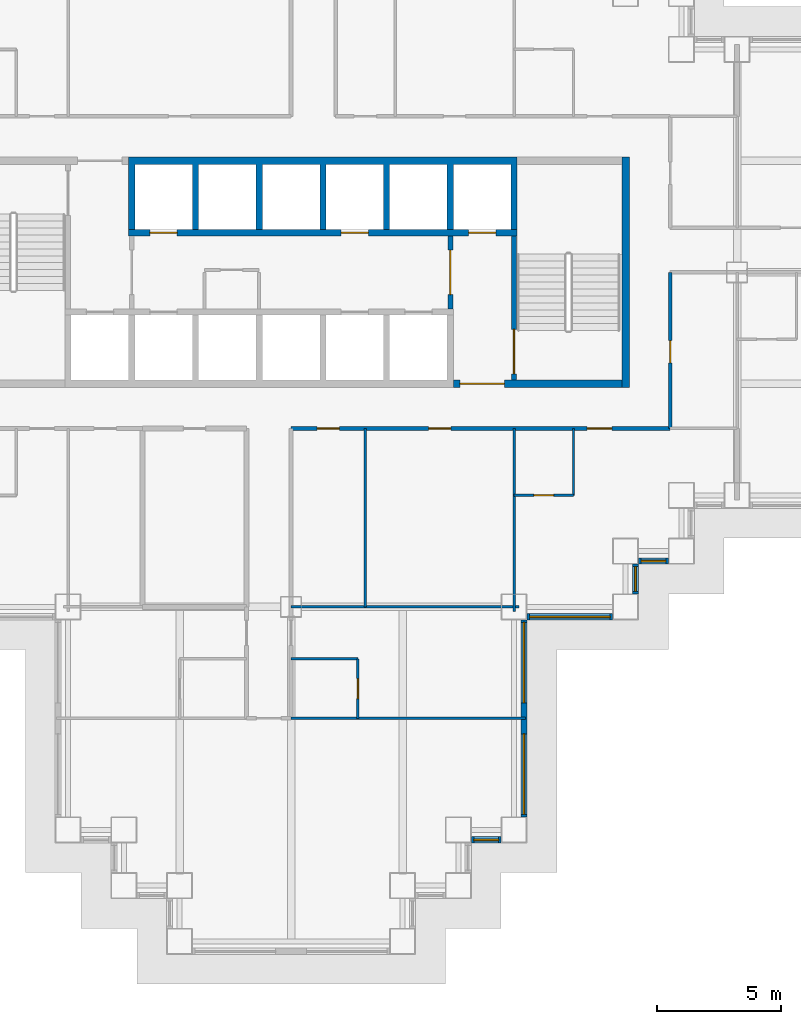
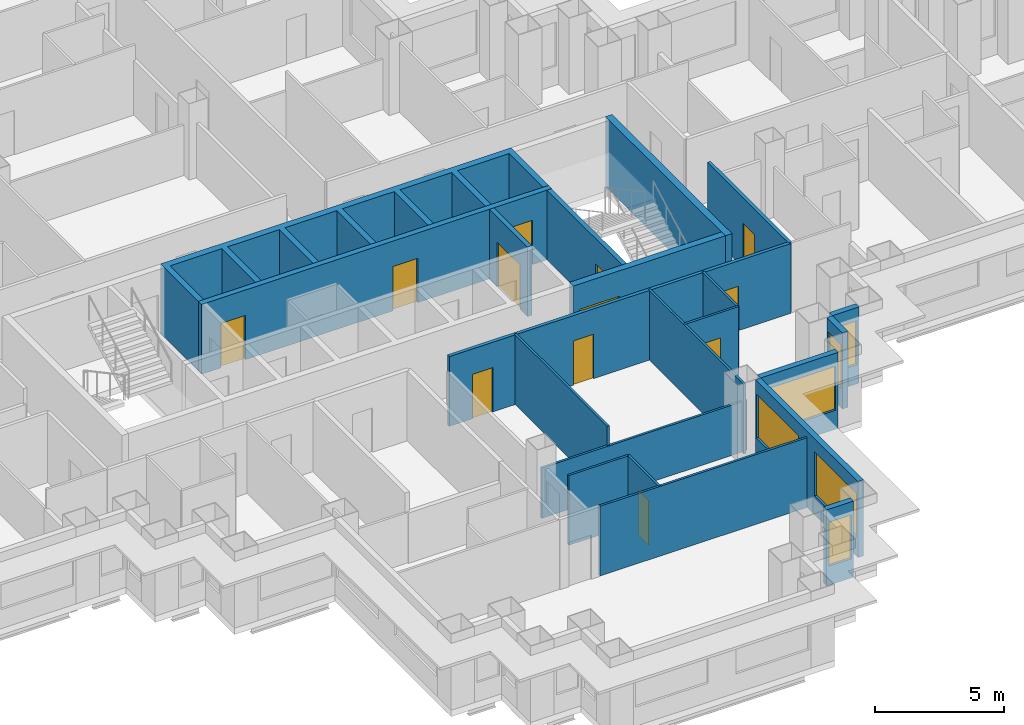
# One storey, part 5 of 14: 21 walls, 12 doors, 6 windows, 18 openings.
"""IFC4 building model written with IfcOpenShell, lengths in metres."""

import ifcopenshell
import ifcopenshell.guid

model = None  # the IFC model being written
_history = None  # IfcOwnerHistory: only IFC2X3 demands one
_inside = {}  # id of a spatial element -> (the spatial element, [elements in it])
_under = {}  # id of a project, library or spatial element -> (it, [spatial elements below it])
_declared = {}  # id of a project -> (the project, [libraries it declares])
_typed = {}  # id of a type object -> (the type object, [elements of that type])
_made_of = {}  # id of a material, layer set ... -> (it, [elements and type objects made of it])


def new_model(schema):
    """Start an empty IFC model of exactly this schema.

    Asked for "IFC4X3", IfcOpenShell would pick the latest addendum, in which some entities
    have other attributes; the version numbers below select the first issue.
    IFC2X3 requires an IfcOwnerHistory on every rooted entity: one is made here for all.
    """
    global model, _history
    if schema == "IFC4X3":
        model = ifcopenshell.file(schema_version=(4, 3, 0, 0))
    else:
        model = ifcopenshell.file(schema=schema)
    _inside.clear()
    _under.clear()
    _declared.clear()
    _typed.clear()
    _made_of.clear()
    _history = None
    if model.schema == "IFC2X3":
        org = make("IfcOrganization", Name="unknown")
        user = make(
            "IfcPersonAndOrganization",
            ThePerson=make("IfcPerson", FamilyName="unknown"),
            TheOrganization=org,
        )
        app = make(
            "IfcApplication",
            ApplicationDeveloper=org,
            Version="unknown",
            ApplicationFullName="unknown",
            ApplicationIdentifier="unknown",
        )
        _history = make(
            "IfcOwnerHistory",
            OwningUser=user,
            OwningApplication=app,
            ChangeAction="ADDED",
            CreationDate=0,
        )
    return model


def make(cls, **values):
    """One entity of the class cls with the attributes given. An attribute that is None is left unset."""
    return model.create_entity(
        cls, **{name: value for name, value in values.items() if value is not None}
    )


def rooted(cls, **values):
    """An entity with a GlobalId (a new one), such as an element, a storey or a relation."""
    return make(cls, GlobalId=ifcopenshell.guid.new(), OwnerHistory=_history, **values)


def si_unit(unit_type, name, prefix=None):
    """IfcSIUnit, for example si_unit("LENGTHUNIT", "METRE", prefix="MILLI")."""
    return make("IfcSIUnit", UnitType=unit_type, Prefix=prefix, Name=name)


def assignment(units):
    """IfcUnitAssignment: the units of a project."""
    return None if units is None else make("IfcUnitAssignment", Units=units)


def point(xyz):
    """IfcCartesianPoint."""
    return None if xyz is None else make("IfcCartesianPoint", Coordinates=xyz)


def direction(xyz):
    """IfcDirection."""
    return None if xyz is None else make("IfcDirection", DirectionRatios=xyz)


def frame(location, z_axis=None, x_axis=None):
    """IfcAxis2Placement3D, a coordinate frame: its origin and axes. An axis left out is left unset."""
    return make(
        "IfcAxis2Placement3D",
        Location=point(location),
        Axis=direction(z_axis),
        RefDirection=direction(x_axis),
    )


def frame_2d(location, x_axis=None):
    """IfcAxis2Placement2D, a coordinate frame in the plane: its origin and x axis."""
    return make(
        "IfcAxis2Placement2D", Location=point(location), RefDirection=direction(x_axis)
    )


def origin():
    """The frame at (0, 0, 0) with its axes left unset."""
    return frame((0.0, 0.0, 0.0))


def place(relative_to, where):
    """IfcLocalPlacement: puts the frame where relative to a parent placement (None: the world)."""
    return make(
        "IfcLocalPlacement", PlacementRelTo=relative_to, RelativePlacement=where
    )


def context(
    kind, dimensions, precision=None, world=None, true_north=None, identifier=None
):
    """IfcGeometricRepresentationContext, for example the 3D "Model" context."""
    return make(
        "IfcGeometricRepresentationContext",
        ContextIdentifier=identifier,
        ContextType=kind,
        CoordinateSpaceDimension=dimensions,
        Precision=precision,
        WorldCoordinateSystem=world,
        TrueNorth=true_north,
    )


def subcontext(parent, identifier, kind, view, scale=None):
    """IfcGeometricRepresentationSubContext, for example "Body" below "Model"."""
    return make(
        "IfcGeometricRepresentationSubContext",
        ContextIdentifier=identifier,
        ContextType=kind,
        ParentContext=parent,
        TargetScale=scale,
        TargetView=view,
    )


def project(units=None, contexts=None):
    """IfcProject with its units and contexts."""
    return rooted(
        "IfcProject",
        Name="project",
        RepresentationContexts=contexts,
        UnitsInContext=assignment(units),
    )


def spatial(cls, under=None, at=None, **own):
    """A site, building, storey or space (cls), placed at a placement, below another one or the project."""
    s = rooted(cls, ObjectPlacement=at, **own)
    if under is not None:
        _under.setdefault(under.id(), (under, []))[1].append(s)
    return s


def polyline(points):
    """IfcPolyline through the points."""
    return make("IfcPolyline", Points=[point(p) for p in points])


def profile(cls, at=None, kind="AREA", **sizes):
    """A parametric profile (cls). Its sizes go by their IFC names, for example OverallWidth=200.0."""
    return make(cls, ProfileType=kind, Position=at, **sizes)


def rectangle(**sizes):
    """IfcRectangleProfileDef."""
    return profile("IfcRectangleProfileDef", **sizes)


def outline(outer, holes=None, kind="AREA"):
    """IfcArbitraryClosedProfileDef: a profile drawn as a closed curve; with holes, ...WithVoids."""
    if holes is None:
        return make("IfcArbitraryClosedProfileDef", ProfileType=kind, OuterCurve=outer)
    return make(
        "IfcArbitraryProfileDefWithVoids",
        ProfileType=kind,
        OuterCurve=outer,
        InnerCurves=holes,
    )


def extrude(swept, where, along, depth):
    """IfcExtrudedAreaSolid: the profile swept, set in the frame where, extruded along a direction by depth."""
    return make(
        "IfcExtrudedAreaSolid",
        SweptArea=swept,
        Position=where,
        ExtrudedDirection=direction(along),
        Depth=depth,
    )


def shape(context_of_items, identifier, shape_type, items):
    """IfcShapeRepresentation: the items that make up one representation, for example the "Body"."""
    return make(
        "IfcShapeRepresentation",
        ContextOfItems=context_of_items,
        RepresentationIdentifier=identifier,
        RepresentationType=shape_type,
        Items=items,
    )


def material(Name=None, Category=None):
    """IfcMaterial."""
    return make("IfcMaterial", Name=Name, Category=Category)


def layer(
    of_material, thickness, ventilated=None, Name=None, Category=None, Priority=None
):
    """IfcMaterialLayer: one layer of a wall or slab, of a material (None: an air gap)."""
    return make(
        "IfcMaterialLayer",
        Material=of_material,
        LayerThickness=thickness,
        IsVentilated=ventilated,
        Name=Name,
        Category=Category,
        Priority=Priority,
    )


def layer_set(layers, Name=None):
    """IfcMaterialLayerSet."""
    return make("IfcMaterialLayerSet", MaterialLayers=layers, LayerSetName=Name)


def made_of(thing, what):
    """Note that an element or type object is made of a material, layer set ...; save() writes the relation."""
    if what is not None:
        _made_of.setdefault(what.id(), (what, []))[1].append(thing)
    return thing


def type_object(cls, material=None, **own):
    """A type object (cls), such as IfcWallType, which elements share."""
    return made_of(rooted(cls, **own), material)


def element(
    cls,
    number,
    at=None,
    inside=None,
    cuts=None,
    type_object=None,
    material=None,
    context=None,
    identifier="Body",
    shape_type=None,
    held_by="IfcProductDefinitionShape",
    body=None,
    shapes=None,
    **own,
):
    """One element of the class cls, such as IfcWall. Its Tag is "e" and its number.

    at: its placement. inside: the storey or other place that contains it. cuts: it is an
    opening in that element (IfcRelVoidsElement). A single representation is given by context,
    identifier, shape_type and body (its items); several are given by shapes. held_by: the class
    of the entity that holds the representations. save() writes the other relations.
    """
    e = rooted(cls, Tag="e%d" % number, ObjectPlacement=at, **own)
    if body is not None:
        shapes = [shape(context, identifier, shape_type, body)]
    if shapes is not None:
        e.Representation = make(held_by, Representations=shapes)
    if inside is not None:
        _inside.setdefault(inside.id(), (inside, []))[1].append(e)
    if cuts is not None:
        rooted(
            "IfcRelVoidsElement", RelatingBuildingElement=cuts, RelatedOpeningElement=e
        )
    if type_object is not None:
        _typed.setdefault(type_object.id(), (type_object, []))[1].append(e)
    return made_of(e, material)


def fill(opening, filler):
    """IfcRelFillsElement: the door or window that sits in an opening."""
    return rooted(
        "IfcRelFillsElement",
        RelatingOpeningElement=opening,
        RelatedBuildingElement=filler,
    )


def aggregate(whole, parts):
    """IfcRelAggregates: a whole, such as a stair, and the parts it consists of."""
    return rooted("IfcRelAggregates", RelatingObject=whole, RelatedObjects=parts)


def save(model, path):
    """Write the relations noted so far, then the file.

    IfcRelAggregates (storeys below a building ...), IfcRelContainedInSpatialStructure (elements
    in a storey), IfcRelDefinesByType, IfcRelAssociatesMaterial and IfcRelDeclares: one each for
    every whole, place, type object, material and project.
    """
    for whole, parts in _under.values():
        aggregate(whole, parts)
    for where, things in _inside.values():
        rooted(
            "IfcRelContainedInSpatialStructure",
            RelatedElements=things,
            RelatingStructure=where,
        )
    for kind, things in _typed.values():
        rooted("IfcRelDefinesByType", RelatedObjects=things, RelatingType=kind)
    for what, things in _made_of.values():
        rooted("IfcRelAssociatesMaterial", RelatedObjects=things, RelatingMaterial=what)
    for by, libraries in _declared.values():
        rooted("IfcRelDeclares", RelatingContext=by, RelatedDefinitions=libraries)
    model.write(path)


model = new_model("IFC4")

# Units and contexts
model_context = context("Model", 3, precision=1e-05, world=origin(), true_north=direction((0.0, 1.0)))
body_context = subcontext(model_context, "Body", "Model", "MODEL_VIEW")
ifc_project = project(units=[si_unit("LENGTHUNIT", "METRE"), si_unit("AREAUNIT", "SQUARE_METRE"), si_unit("VOLUMEUNIT", "CUBIC_METRE"), si_unit("PLANEANGLEUNIT", "RADIAN"), si_unit("MASSUNIT", "GRAM", prefix="KILO")], contexts=[model_context])

# Site, building, storey
site_placement = place(None, origin())
site = spatial("IfcSite", under=ifc_project, at=site_placement, CompositionType="ELEMENT")
building_placement = place(site_placement, origin())
building = spatial("IfcBuilding", under=site, at=building_placement, Name="Caravel Reach Hotel and Residences", CompositionType="ELEMENT")
storey_placement = place(building_placement, frame((0.0, 0.0, 40.800048828125)))
storey = spatial("IfcBuildingStorey", under=building, at=storey_placement, Name="L08", CompositionType="ELEMENT", Elevation=40.800048828125)

# Wall
ifc_material_1 = material(Name="Gypsum board on steel stud", Category="steel")
ifc_layer_1 = layer(ifc_material_1, 0.10009765625)
ifc_layer_set_1 = layer_set([ifc_layer_1], Name="Bathroom pod wall 100 mm")
wall_type_1 = type_object("IfcWallType", Name="Bathroom pod wall 100 mm", PredefinedType="PARTITIONING", material=ifc_layer_set_1)
wall_1_placement = place(storey_placement, frame((31.5, 11.39990234375, 0.0), z_axis=(0.0, 0.0, 1.0), x_axis=(1.0, 0.0, 0.0)))
element("IfcWall", 1, at=wall_1_placement, inside=storey, type_object=wall_type_1, Name="L08 wall w074", PredefinedType="PARTITIONING", context=body_context, shape_type="SweptSolid", body=[
    extrude(rectangle(XDim=2.699951171875, YDim=0.10009765625, at=frame_2d((1.35009765625, 0.0))), origin(), (0.0, 0.0, 1.0), 3.300048828125),
])

# Wall, opening, door
wall_2_placement = place(storey_placement, frame((40.5, 18.0, 0.0), z_axis=(0.0, 0.0, 1.0), x_axis=(1.0, 0.0, 0.0)))
wall_2 = element("IfcWall", 2, at=wall_2_placement, inside=storey, type_object=wall_type_1, Name="L08 wall w077", PredefinedType="PARTITIONING", context=body_context, shape_type="SweptSolid", body=[
    extrude(rectangle(XDim=2.39990234375, YDim=0.10009765625, at=frame_2d((1.199951171875, 0.0))), origin(), (0.0, 0.0, 1.0), 3.300048828125),
])
opening_1_placement = place(wall_2_placement, frame((0.800048828125, 0.0, 0.0)))
opening_1 = element("IfcOpeningElement", 3, at=opening_1_placement, cuts=wall_2, Name="Opening D08-048", PredefinedType="OPENING", context=body_context, shape_type="SweptSolid", body=[
    extrude(rectangle(XDim=0.800048828125, YDim=2.10009765625, at=frame_2d((0.39990234375, 1.050048828125))), frame((0.0, 0.06005859375, 0.0), z_axis=(0.0, -1.0, 0.0), x_axis=(1.0, 0.0, 0.0)), (0.0, 0.0, 1.0), 0.1201171875),
])
ifc_material_2 = material(Name="Timber and steel door leaf", Category="steel")
door_type_1 = type_object("IfcDoorType", Name="Bathroom door 800 x 2100", OperationType="SINGLE_SWING_LEFT", PredefinedType="DOOR", material=ifc_material_2)
door_1_placement = place(opening_1_placement, origin())
door_1 = element("IfcDoor", 4, at=door_1_placement, inside=storey, type_object=door_type_1, Name="door D08-048", OperationType="SINGLE_SWING_LEFT", OverallHeight=2.10009765625, OverallWidth=0.800048828125, PredefinedType="DOOR", context=body_context, shape_type="SweptSolid", body=[
    extrude(rectangle(XDim=0.800048828125, YDim=2.10009765625, at=frame_2d((0.39990234375, 1.050048828125))), frame((0.0, 0.02490234375, 0.0), z_axis=(0.0, -1.0, 0.0), x_axis=(1.0, 0.0, 0.0)), (0.0, 0.0, 1.0), 0.050048828125),
])
fill(opening_1, door_1)

wall_3_placement = place(storey_placement, frame((34.199951171875, 9.0, 0.0), z_axis=(0.0, 0.0, 1.0), x_axis=(0.0, 1.0, 0.0)))
wall_3 = element("IfcWall", 5, at=wall_3_placement, inside=storey, type_object=wall_type_1, Name="L08 wall w097", PredefinedType="PARTITIONING", context=body_context, shape_type="SweptSolid", body=[
    extrude(rectangle(XDim=2.39990234375, YDim=0.10009765625, at=frame_2d((1.199951171875, 0.0))), origin(), (0.0, 0.0, 1.0), 3.300048828125),
])
opening_2_placement = place(wall_3_placement, frame((0.800048828125, 0.0, 0.0)))
opening_2 = element("IfcOpeningElement", 6, at=opening_2_placement, cuts=wall_3, Name="Opening D08-035", PredefinedType="OPENING", context=body_context, shape_type="SweptSolid", body=[
    extrude(rectangle(XDim=0.800048828125, YDim=2.10009765625, at=frame_2d((0.39990234375, 1.050048828125))), frame((0.0, 0.06005859375, 0.0), z_axis=(0.0, -1.0, 0.0), x_axis=(1.0, 0.0, 0.0)), (0.0, 0.0, 1.0), 0.1201171875),
])
door_2_placement = place(opening_2_placement, origin())
door_2 = element("IfcDoor", 7, at=door_2_placement, inside=storey, type_object=door_type_1, Name="door D08-035", OperationType="SINGLE_SWING_LEFT", OverallHeight=2.10009765625, OverallWidth=0.800048828125, PredefinedType="DOOR", context=body_context, shape_type="SweptSolid", body=[
    extrude(rectangle(XDim=0.800048828125, YDim=2.10009765625, at=frame_2d((0.39990234375, 1.050048828125))), frame((0.0, 0.02490234375, 0.0), z_axis=(0.0, -1.0, 0.0), x_axis=(1.0, 0.0, 0.0)), (0.0, 0.0, 1.0), 0.050048828125),
])
fill(opening_2, door_2)

# Wall
wall_4_placement = place(storey_placement, frame((42.89990234375, 18.0, 0.0), z_axis=(0.0, 0.0, 1.0), x_axis=(0.0, 1.0, 0.0)))
element("IfcWall", 8, at=wall_4_placement, inside=storey, type_object=wall_type_1, Name="L08 wall w100", PredefinedType="PARTITIONING", context=body_context, shape_type="SweptSolid", body=[
    extrude(rectangle(XDim=2.699951171875, YDim=0.10009765625, at=frame_2d((1.35009765625, 0.0))), origin(), (0.0, 0.0, 1.0), 3.300048828125),
])

# Wall, opening, door
ifc_material_3 = material(Name="Concrete C60", Category="concrete")
ifc_layer_2 = layer(ifc_material_3, 0.300048828125)
ifc_layer_set_2 = layer_set([ifc_layer_2], Name="Core wall 300 mm EI 120")
wall_type_2 = type_object("IfcWallType", Name="Core wall 300 mm EI 120", PredefinedType="SHEAR", material=ifc_layer_set_2)
wall_5_placement = place(storey_placement, frame((38.053466796875, 22.5, 0.0), z_axis=(0.0, 0.0, 1.0), x_axis=(1.0, 0.0, 0.0)))
wall_5 = element("IfcWall", 9, at=wall_5_placement, inside=storey, type_object=wall_type_2, Name="L08 core wall S2", PredefinedType="SHEAR", context=body_context, shape_type="SweptSolid", body=[
    extrude(rectangle(XDim=6.796630859375, YDim=0.300048828125, at=frame_2d((3.3984375, 0.0))), origin(), (0.0, 0.0, 1.0), 3.300048828125),
])
opening_3_placement = place(wall_5_placement, frame((0.2607421875, 0.0, 0.0)))
opening_3 = element("IfcOpeningElement", 10, at=opening_3_placement, cuts=wall_5, Name="Opening D08-014", PredefinedType="OPENING", context=body_context, shape_type="SweptSolid", body=[
    extrude(rectangle(XDim=1.800048828125, YDim=2.10009765625, at=frame_2d((0.89990234375, 1.050048828125))), frame((0.0, 0.159912109375, 0.0), z_axis=(0.0, -1.0, 0.0), x_axis=(1.0, 0.0, 0.0)), (0.0, 0.0, 1.0), 0.320068359375),
])
ifc_material_4 = material(Name="Steel fire door leaf", Category="steel")
door_type_2 = type_object("IfcDoorType", Name="Fire lobby door pair 1800 x 2100 EI 90", OperationType="DOUBLE_DOOR_SINGLE_SWING", PredefinedType="DOOR", material=ifc_material_4)
door_3_placement = place(opening_3_placement, origin())
door_3 = element("IfcDoor", 11, at=door_3_placement, inside=storey, type_object=door_type_2, Name="lobby S door pair to corridor", OperationType="DOUBLE_DOOR_SINGLE_SWING", OverallHeight=2.10009765625, OverallWidth=1.800048828125, PredefinedType="DOOR", context=body_context, shape_type="SweptSolid", body=[
    extrude(rectangle(XDim=1.800048828125, YDim=2.10009765625, at=frame_2d((0.89990234375, 1.050048828125))), frame((0.0, 0.02490234375, 0.0), z_axis=(0.0, -1.0, 0.0), x_axis=(1.0, 0.0, 0.0)), (0.0, 0.0, 1.0), 0.050048828125),
])
fill(opening_3, door_3)

# Wall
wall_6_placement = place(storey_placement, frame((45.0, 22.35009765625, 0.0), z_axis=(0.0, 0.0, 1.0), x_axis=(0.0, 1.0, 0.0)))
element("IfcWall", 12, at=wall_6_placement, inside=storey, type_object=wall_type_2, Name="L08 core wall E", PredefinedType="SHEAR", context=body_context, shape_type="SweptSolid", body=[
    extrude(rectangle(XDim=9.2998046875, YDim=0.300048828125, at=frame_2d((4.64990234375, 0.0))), origin(), (0.0, 0.0, 1.0), 3.300048828125),
])

# Wall, openings, doors
ifc_material_5 = material(Name="Gypsum board on steel stud, fire-rated", Category="steel")
ifc_layer_3 = layer(ifc_material_5, 0.14990234375)
ifc_layer_set_3 = layer_set([ifc_layer_3], Name="Corridor wall 150 mm EI 60")
wall_type_3 = type_object("IfcWallType", Name="Corridor wall 150 mm EI 60", PredefinedType="PARTITIONING", material=ifc_layer_set_3)
wall_7_placement = place(storey_placement, frame((31.5, 20.699951171875, 0.0), z_axis=(0.0, 0.0, 1.0), x_axis=(1.0, 0.0, 0.0)))
wall_7 = element("IfcWall", 13, at=wall_7_placement, inside=storey, type_object=wall_type_3, Name="L08 wall w004", PredefinedType="PARTITIONING", context=body_context, shape_type="SweptSolid", body=[
    extrude(rectangle(XDim=15.300048828125, YDim=0.14990234375, at=frame_2d((7.64990234375, 0.0))), origin(), (0.0, 0.0, 1.0), 3.300048828125),
])
opening_4_placement = place(wall_7_placement, frame((11.949951171875, 0.0, 0.0)))
opening_4 = element("IfcOpeningElement", 14, at=opening_4_placement, cuts=wall_7, Name="Opening D08-047", PredefinedType="OPENING", context=body_context, shape_type="SweptSolid", body=[
    extrude(rectangle(XDim=1.0, YDim=2.10009765625, at=frame_2d((0.5, 1.050048828125))), frame((0.0, 0.0849609375, 0.0), z_axis=(0.0, -1.0, 0.0), x_axis=(1.0, 0.0, 0.0)), (0.0, 0.0, 1.0), 0.169921875),
])
opening_5_placement = place(wall_7_placement, frame((1.050048828125, 0.0, 0.0)))
opening_5 = element("IfcOpeningElement", 15, at=opening_5_placement, cuts=wall_7, Name="Opening D08-054", PredefinedType="OPENING", context=body_context, shape_type="SweptSolid", body=[
    extrude(rectangle(XDim=0.89990234375, YDim=2.10009765625, at=frame_2d((0.449951171875, 1.050048828125))), frame((0.0, 0.0849609375, 0.0), z_axis=(0.0, -1.0, 0.0), x_axis=(1.0, 0.0, 0.0)), (0.0, 0.0, 1.0), 0.169921875),
])
opening_6_placement = place(wall_7_placement, frame((5.550048828125, 0.0, 0.0)))
opening_6 = element("IfcOpeningElement", 16, at=opening_6_placement, cuts=wall_7, Name="Opening D08-055", PredefinedType="OPENING", context=body_context, shape_type="SweptSolid", body=[
    extrude(rectangle(XDim=0.89990234375, YDim=2.10009765625, at=frame_2d((0.449951171875, 1.050048828125))), frame((0.0, 0.0849609375, 0.0), z_axis=(0.0, -1.0, 0.0), x_axis=(1.0, 0.0, 0.0)), (0.0, 0.0, 1.0), 0.169921875),
])
ifc_material_6 = material(Name="Timber and steel door leaf", Category="steel")
door_type_3 = type_object("IfcDoorType", Name="Door 900 x 2100 timber", OperationType="SINGLE_SWING_LEFT", PredefinedType="DOOR", material=ifc_material_6)
door_4_placement = place(opening_5_placement, origin())
door_4 = element("IfcDoor", 17, at=door_4_placement, inside=storey, type_object=door_type_3, Name="door D08-054", OperationType="SINGLE_SWING_RIGHT", OverallHeight=2.10009765625, OverallWidth=0.89990234375, PredefinedType="DOOR", context=body_context, shape_type="SweptSolid", body=[
    extrude(rectangle(XDim=0.89990234375, YDim=2.10009765625, at=frame_2d((0.449951171875, 1.050048828125))), frame((0.0, 0.02490234375, 0.0), z_axis=(0.0, -1.0, 0.0), x_axis=(1.0, 0.0, 0.0)), (0.0, 0.0, 1.0), 0.050048828125),
])
fill(opening_5, door_4)
door_5_placement = place(opening_6_placement, origin())
door_5 = element("IfcDoor", 18, at=door_5_placement, inside=storey, type_object=door_type_3, Name="door D08-055", OperationType="SINGLE_SWING_RIGHT", OverallHeight=2.10009765625, OverallWidth=0.89990234375, PredefinedType="DOOR", context=body_context, shape_type="SweptSolid", body=[
    extrude(rectangle(XDim=0.89990234375, YDim=2.10009765625, at=frame_2d((0.449951171875, 1.050048828125))), frame((0.0, 0.02490234375, 0.0), z_axis=(0.0, -1.0, 0.0), x_axis=(1.0, 0.0, 0.0)), (0.0, 0.0, 1.0), 0.050048828125),
])
fill(opening_6, door_5)
ifc_material_7 = material(Name="Steel fire door leaf", Category="steel")
door_type_4 = type_object("IfcDoorType", Name="Guest room door 1000 x 2100 EI 30", OperationType="SINGLE_SWING_LEFT", PredefinedType="DOOR", material=ifc_material_7)
door_6_placement = place(opening_4_placement, origin())
door_6 = element("IfcDoor", 19, at=door_6_placement, inside=storey, type_object=door_type_4, Name="door D08-047", OperationType="SINGLE_SWING_RIGHT", OverallHeight=2.10009765625, OverallWidth=1.0, PredefinedType="DOOR", context=body_context, shape_type="SweptSolid", body=[
    extrude(rectangle(XDim=1.0, YDim=2.10009765625, at=frame_2d((0.5, 1.050048828125))), frame((0.0, 0.02490234375, 0.0), z_axis=(0.0, -1.0, 0.0), x_axis=(1.0, 0.0, 0.0)), (0.0, 0.0, 1.0), 0.050048828125),
])
fill(opening_4, door_6)

# Wall, opening, door
wall_8_placement = place(storey_placement, frame((46.800048828125, 20.699951171875, 0.0), z_axis=(0.0, 0.0, 1.0), x_axis=(0.0, 1.0, 0.0)))
wall_8 = element("IfcWall", 20, at=wall_8_placement, inside=storey, type_object=wall_type_3, Name="L08 wall w035", PredefinedType="PARTITIONING", context=body_context, shape_type="SweptSolid", body=[
    extrude(rectangle(XDim=6.300048828125, YDim=0.14990234375, at=frame_2d((3.14990234375, 0.0))), origin(), (0.0, 0.0, 1.0), 3.300048828125),
])
opening_7_placement = place(wall_8_placement, frame((2.64990234375, 0.0, 0.0)))
opening_7 = element("IfcOpeningElement", 21, at=opening_7_placement, cuts=wall_8, Name="Opening D08-058", PredefinedType="OPENING", context=body_context, shape_type="SweptSolid", body=[
    extrude(rectangle(XDim=0.89990234375, YDim=2.10009765625, at=frame_2d((0.449951171875, 1.050048828125))), frame((0.0, 0.0849609375, 0.0), z_axis=(0.0, -1.0, 0.0), x_axis=(1.0, 0.0, 0.0)), (0.0, 0.0, 1.0), 0.169921875),
])
door_7_placement = place(opening_7_placement, origin())
door_7 = element("IfcDoor", 22, at=door_7_placement, inside=storey, type_object=door_type_3, Name="door D08-058", OperationType="SINGLE_SWING_LEFT", OverallHeight=2.10009765625, OverallWidth=0.89990234375, PredefinedType="DOOR", context=body_context, shape_type="SweptSolid", body=[
    extrude(rectangle(XDim=0.89990234375, YDim=2.10009765625, at=frame_2d((0.449951171875, 1.050048828125))), frame((0.0, 0.02490234375, 0.0), z_axis=(0.0, -1.0, 0.0), x_axis=(1.0, 0.0, 0.0)), (0.0, 0.0, 1.0), 0.050048828125),
])
fill(opening_7, door_7)

# Wall, opening, window
ifc_material_8 = material(Name="Insulated rainscreen wall, aluminium cladding", Category="aluminium")
ifc_layer_4 = layer(ifc_material_8, 0.25)
ifc_layer_set_4 = layer_set([ifc_layer_4], Name="EW1 Tower rainscreen wall")
wall_type_4 = type_object("IfcWallType", Name="EW1 Tower rainscreen wall", PredefinedType="SOLIDWALL", material=ifc_layer_set_4)
wall_9_placement = place(storey_placement, frame((38.77490234375, 4.10009765625, 0.0), z_axis=(0.0, 0.0, 1.0), x_axis=(1.0, 0.0, 0.0)))
wall_9 = element("IfcWall", 23, at=wall_9_placement, inside=storey, type_object=wall_type_4, Name="External wall L08 S9.1", PredefinedType="SOLIDWALL", context=body_context, shape_type="SweptSolid", body=[
    extrude(rectangle(XDim=1.2001953125, YDim=0.25, at=frame_2d((0.60009765625, 0.0))), origin(), (0.0, 0.0, 1.0), 3.599853515625),
])
opening_8_placement = place(wall_9_placement, frame((0.10009765625, 0.0, 0.89990234375)))
opening_8 = element("IfcOpeningElement", 24, at=opening_8_placement, cuts=wall_9, Name="Opening WN1", PredefinedType="OPENING", context=body_context, shape_type="SweptSolid", body=[
    extrude(rectangle(XDim=1.0, YDim=2.080078125, at=frame_2d((0.5, 1.0400390625))), frame((0.0, 0.135009765625, 0.0), z_axis=(0.0, -1.0, 0.0), x_axis=(1.0, 0.0, 0.0)), (0.0, 0.0, 1.0), 0.27001953125),
])
ifc_material_9 = material(Name="Dark low-e glazing in black aluminium frame", Category="aluminium")
window_type_1 = type_object("IfcWindowType", Name="Hotel suite corner window 1000 x 2080", PartitioningType="SINGLE_PANEL", PredefinedType="WINDOW", material=ifc_material_9)
window_1_placement = place(opening_8_placement, origin())
window_1 = element("IfcWindow", 25, at=window_1_placement, inside=storey, type_object=window_type_1, Name="Window L08 S9.1.1", OverallHeight=2.080078125, OverallWidth=1.0, PartitioningType="SINGLE_PANEL", PredefinedType="WINDOW", context=body_context, shape_type="SweptSolid", body=[
    extrude(rectangle(XDim=1.0, YDim=2.080078125, at=frame_2d((0.5, 1.0400390625))), frame((0.0, 0.030029296875, 0.0), z_axis=(0.0, -1.0, 0.0), x_axis=(1.0, 0.0, 0.0)), (0.0, 0.0, 1.0), 0.06005859375),
])
fill(opening_8, window_1)

# Wall, openings, windows
wall_10_placement = place(storey_placement, frame((40.89990234375, 5.02490234375, 0.0), z_axis=(0.0, 0.0, 1.0), x_axis=(0.0, 1.0, 0.0)))
wall_10 = element("IfcWall", 26, at=wall_10_placement, inside=storey, type_object=wall_type_4, Name="External wall L08 E10.1", PredefinedType="SOLIDWALL", context=body_context, shape_type="SweptSolid", body=[
    extrude(rectangle(XDim=7.9501953125, YDim=0.25, at=frame_2d((3.97509765625, 0.0))), origin(), (0.0, 0.0, 1.0), 3.599853515625),
])
opening_9_placement = place(wall_10_placement, frame((0.10009765625, 0.0, 0.89990234375)))
opening_9 = element("IfcOpeningElement", 27, at=opening_9_placement, cuts=wall_10, Name="Opening WN2", PredefinedType="OPENING", context=body_context, shape_type="SweptSolid", body=[
    extrude(rectangle(XDim=3.25, YDim=2.080078125, at=frame_2d((1.625, 1.0400390625))), frame((0.0, 0.135009765625, 0.0), z_axis=(0.0, -1.0, 0.0), x_axis=(1.0, 0.0, 0.0)), (0.0, 0.0, 1.0), 0.27001953125),
])
opening_10_placement = place(wall_10_placement, frame((4.60009765625, 0.0, 0.89990234375)))
opening_10 = element("IfcOpeningElement", 28, at=opening_10_placement, cuts=wall_10, Name="Opening WN2", PredefinedType="OPENING", context=body_context, shape_type="SweptSolid", body=[
    extrude(rectangle(XDim=3.25, YDim=2.080078125, at=frame_2d((1.625, 1.0400390625))), frame((0.0, 0.135009765625, 0.0), z_axis=(0.0, -1.0, 0.0), x_axis=(1.0, 0.0, 0.0)), (0.0, 0.0, 1.0), 0.27001953125),
])
ifc_material_10 = material(Name="Dark low-e glazing in black aluminium frame", Category="aluminium")
window_type_2 = type_object("IfcWindowType", Name="Hotel guest room window 3250 x 2080", PartitioningType="SINGLE_PANEL", PredefinedType="WINDOW", material=ifc_material_10)
window_2_placement = place(opening_9_placement, origin())
window_2 = element("IfcWindow", 29, at=window_2_placement, inside=storey, type_object=window_type_2, Name="Window L08 E10.1.1", OverallHeight=2.080078125, OverallWidth=3.25, PartitioningType="SINGLE_PANEL", PredefinedType="WINDOW", context=body_context, shape_type="SweptSolid", body=[
    extrude(rectangle(XDim=3.25, YDim=2.080078125, at=frame_2d((1.625, 1.0400390625))), frame((0.0, 0.030029296875, 0.0), z_axis=(0.0, -1.0, 0.0), x_axis=(1.0, 0.0, 0.0)), (0.0, 0.0, 1.0), 0.06005859375),
])
fill(opening_9, window_2)
window_3_placement = place(opening_10_placement, origin())
window_3 = element("IfcWindow", 30, at=window_3_placement, inside=storey, type_object=window_type_2, Name="Window L08 E10.1.2", OverallHeight=2.080078125, OverallWidth=3.25, PartitioningType="SINGLE_PANEL", PredefinedType="WINDOW", context=body_context, shape_type="SweptSolid", body=[
    extrude(rectangle(XDim=3.25, YDim=2.080078125, at=frame_2d((1.625, 1.0400390625))), frame((0.0, 0.030029296875, 0.0), z_axis=(0.0, -1.0, 0.0), x_axis=(1.0, 0.0, 0.0)), (0.0, 0.0, 1.0), 0.06005859375),
])
fill(opening_10, window_3)

# Wall, opening, window
wall_11_placement = place(storey_placement, frame((41.02490234375, 13.10009765625, 0.0), z_axis=(0.0, 0.0, 1.0), x_axis=(1.0, 0.0, 0.0)))
wall_11 = element("IfcWall", 31, at=wall_11_placement, inside=storey, type_object=wall_type_4, Name="External wall L08 S11.1", PredefinedType="SOLIDWALL", context=body_context, shape_type="SweptSolid", body=[
    extrude(rectangle(XDim=3.4501953125, YDim=0.25, at=frame_2d((1.72509765625, 0.0))), origin(), (0.0, 0.0, 1.0), 3.599853515625),
])
opening_11_placement = place(wall_11_placement, frame((0.10009765625, 0.0, 0.89990234375)))
opening_11 = element("IfcOpeningElement", 32, at=opening_11_placement, cuts=wall_11, Name="Opening WN2", PredefinedType="OPENING", context=body_context, shape_type="SweptSolid", body=[
    extrude(rectangle(XDim=3.25, YDim=2.080078125, at=frame_2d((1.625, 1.0400390625))), frame((0.0, 0.135009765625, 0.0), z_axis=(0.0, -1.0, 0.0), x_axis=(1.0, 0.0, 0.0)), (0.0, 0.0, 1.0), 0.27001953125),
])
window_4_placement = place(opening_11_placement, origin())
window_4 = element("IfcWindow", 33, at=window_4_placement, inside=storey, type_object=window_type_2, Name="Window L08 S11.1.1", OverallHeight=2.080078125, OverallWidth=3.25, PartitioningType="SINGLE_PANEL", PredefinedType="WINDOW", context=body_context, shape_type="SweptSolid", body=[
    extrude(rectangle(XDim=3.25, YDim=2.080078125, at=frame_2d((1.625, 1.0400390625))), frame((0.0, 0.030029296875, 0.0), z_axis=(0.0, -1.0, 0.0), x_axis=(1.0, 0.0, 0.0)), (0.0, 0.0, 1.0), 0.06005859375),
])
fill(opening_11, window_4)

wall_12_placement = place(storey_placement, frame((45.39990234375, 14.02490234375, 0.0), z_axis=(0.0, 0.0, 1.0), x_axis=(0.0, 1.0, 0.0)))
wall_12 = element("IfcWall", 34, at=wall_12_placement, inside=storey, type_object=wall_type_4, Name="External wall L08 E12.1", PredefinedType="SOLIDWALL", context=body_context, shape_type="SweptSolid", body=[
    extrude(rectangle(XDim=1.2001953125, YDim=0.25, at=frame_2d((0.60009765625, 0.0))), origin(), (0.0, 0.0, 1.0), 3.599853515625),
])
opening_12_placement = place(wall_12_placement, frame((0.10009765625, 0.0, 0.89990234375)))
opening_12 = element("IfcOpeningElement", 35, at=opening_12_placement, cuts=wall_12, Name="Opening WN1", PredefinedType="OPENING", context=body_context, shape_type="SweptSolid", body=[
    extrude(rectangle(XDim=1.0, YDim=2.080078125, at=frame_2d((0.5, 1.0400390625))), frame((0.0, 0.135009765625, 0.0), z_axis=(0.0, -1.0, 0.0), x_axis=(1.0, 0.0, 0.0)), (0.0, 0.0, 1.0), 0.27001953125),
])
window_5_placement = place(opening_12_placement, origin())
window_5 = element("IfcWindow", 36, at=window_5_placement, inside=storey, type_object=window_type_1, Name="Window L08 E12.1.1", OverallHeight=2.080078125, OverallWidth=1.0, PartitioningType="SINGLE_PANEL", PredefinedType="WINDOW", context=body_context, shape_type="SweptSolid", body=[
    extrude(rectangle(XDim=1.0, YDim=2.080078125, at=frame_2d((0.5, 1.0400390625))), frame((0.0, 0.030029296875, 0.0), z_axis=(0.0, -1.0, 0.0), x_axis=(1.0, 0.0, 0.0)), (0.0, 0.0, 1.0), 0.06005859375),
])
fill(opening_12, window_5)

wall_13_placement = place(storey_placement, frame((45.52490234375, 15.35009765625, 0.0), z_axis=(0.0, 0.0, 1.0), x_axis=(1.0, 0.0, 0.0)))
wall_13 = element("IfcWall", 37, at=wall_13_placement, inside=storey, type_object=wall_type_4, Name="External wall L08 S13.1", PredefinedType="SOLIDWALL", context=body_context, shape_type="SweptSolid", body=[
    extrude(rectangle(XDim=1.2001953125, YDim=0.25, at=frame_2d((0.60009765625, 0.0))), origin(), (0.0, 0.0, 1.0), 3.599853515625),
])
opening_13_placement = place(wall_13_placement, frame((0.10009765625, 0.0, 0.89990234375)))
opening_13 = element("IfcOpeningElement", 38, at=opening_13_placement, cuts=wall_13, Name="Opening WN1", PredefinedType="OPENING", context=body_context, shape_type="SweptSolid", body=[
    extrude(rectangle(XDim=1.0, YDim=2.080078125, at=frame_2d((0.5, 1.0400390625))), frame((0.0, 0.135009765625, 0.0), z_axis=(0.0, -1.0, 0.0), x_axis=(1.0, 0.0, 0.0)), (0.0, 0.0, 1.0), 0.27001953125),
])
window_6_placement = place(opening_13_placement, origin())
window_6 = element("IfcWindow", 39, at=window_6_placement, inside=storey, type_object=window_type_1, Name="Window L08 S13.1.1", OverallHeight=2.080078125, OverallWidth=1.0, PartitioningType="SINGLE_PANEL", PredefinedType="WINDOW", context=body_context, shape_type="SweptSolid", body=[
    extrude(rectangle(XDim=1.0, YDim=2.080078125, at=frame_2d((0.5, 1.0400390625))), frame((0.0, 0.030029296875, 0.0), z_axis=(0.0, -1.0, 0.0), x_axis=(1.0, 0.0, 0.0)), (0.0, 0.0, 1.0), 0.06005859375),
])
fill(opening_13, window_6)

# Wall, opening, door
ifc_material_11 = material(Name="Autoclaved aerated block wall")
ifc_layer_5 = layer(ifc_material_11, 0.199951171875)
ifc_layer_set_5 = layer_set([ifc_layer_5], Name="Fire lobby wall 200 mm EI 120")
wall_type_5 = type_object("IfcWallType", Name="Fire lobby wall 200 mm EI 120", PredefinedType="PARTITIONING", material=ifc_layer_set_5)
wall_14_placement = place(storey_placement, frame((37.928466796875, 25.52490234375, 0.0), z_axis=(0.0, 0.0, 1.0), x_axis=(0.0, 1.0, 0.0)))
wall_14 = element("IfcWall", 40, at=wall_14_placement, inside=storey, type_object=wall_type_5, Name="L08 lobby E wall", PredefinedType="PARTITIONING", context=body_context, shape_type="SweptSolid", body=[
    extrude(rectangle(XDim=2.9501953125, YDim=0.199951171875, at=frame_2d((1.47509765625, 0.0))), origin(), (0.0, 0.0, 1.0), 3.300048828125),
])
opening_14_placement = place(wall_14_placement, frame((0.574951171875, 0.0, 0.0)))
opening_14 = element("IfcOpeningElement", 41, at=opening_14_placement, cuts=wall_14, Name="Opening D08-012", PredefinedType="OPENING", context=body_context, shape_type="SweptSolid", body=[
    extrude(rectangle(XDim=1.800048828125, YDim=2.10009765625, at=frame_2d((0.89990234375, 1.050048828125))), frame((0.0, 0.10986328125, 0.0), z_axis=(0.0, -1.0, 0.0), x_axis=(1.0, 0.0, 0.0)), (0.0, 0.0, 1.0), 0.219970703125),
])
door_8_placement = place(opening_14_placement, origin())
door_8 = element("IfcDoor", 42, at=door_8_placement, inside=storey, type_object=door_type_2, Name="lobby E door pair", OperationType="DOUBLE_DOOR_SINGLE_SWING", OverallHeight=2.10009765625, OverallWidth=1.800048828125, PredefinedType="DOOR", context=body_context, shape_type="SweptSolid", body=[
    extrude(rectangle(XDim=1.800048828125, YDim=2.10009765625, at=frame_2d((0.89990234375, 1.050048828125))), frame((0.0, 0.02490234375, 0.0), z_axis=(0.0, -1.0, 0.0), x_axis=(1.0, 0.0, 0.0)), (0.0, 0.0, 1.0), 0.050048828125),
])
fill(opening_14, door_8)

# Walls
ifc_material_12 = material(Name="Gypsum board on steel stud", Category="steel")
ifc_layer_6 = layer(ifc_material_12, 0.10009765625)
ifc_layer_set_6 = layer_set([ifc_layer_6], Name="Partition 100 mm")
wall_type_6 = type_object("IfcWallType", Name="Partition 100 mm", PredefinedType="PARTITIONING", material=ifc_layer_set_6)
wall_15_placement = place(storey_placement, frame((31.5, 13.5, 0.0), z_axis=(0.0, 0.0, 1.0), x_axis=(1.0, 0.0, 0.0)))
element("IfcWall", 43, at=wall_15_placement, inside=storey, type_object=wall_type_6, Name="L08 wall w038", PredefinedType="PARTITIONING", context=body_context, shape_type="SweptSolid", body=[
    extrude(rectangle(XDim=9.18994140625, YDim=0.10009765625, at=frame_2d((4.594970703125, 0.0))), origin(), (0.0, 0.0, 1.0), 2.3798828125),
])
wall_16_placement = place(storey_placement, frame((31.5, 9.0, 0.0), z_axis=(0.0, 0.0, 1.0), x_axis=(1.0, 0.0, 0.0)))
element("IfcWall", 44, at=wall_16_placement, inside=storey, type_object=wall_type_6, Name="L08 wall w052", PredefinedType="PARTITIONING", context=body_context, shape_type="SweptSolid", body=[
    extrude(rectangle(XDim=9.465087890625, YDim=0.10009765625, at=frame_2d((4.732421875, 0.0))), origin(), (0.0, 0.0, 1.0), 3.300048828125),
])
wall_17_placement = place(storey_placement, frame((34.5, 13.5, 0.0), z_axis=(0.0, 0.0, 1.0), x_axis=(0.0, 1.0, 0.0)))
element("IfcWall", 45, at=wall_17_placement, inside=storey, type_object=wall_type_6, Name="L08 wall w058", PredefinedType="PARTITIONING", context=body_context, shape_type="SweptSolid", body=[
    extrude(rectangle(XDim=7.199951171875, YDim=0.10009765625, at=frame_2d((3.60009765625, 0.0))), origin(), (0.0, 0.0, 1.0), 3.300048828125),
])
wall_18_placement = place(storey_placement, frame((40.5, 13.31005859375, 0.0), z_axis=(0.0, 0.0, 1.0), x_axis=(0.0, 1.0, 0.0)))
element("IfcWall", 46, at=wall_18_placement, inside=storey, type_object=wall_type_6, Name="L08 wall w061", PredefinedType="PARTITIONING", context=body_context, shape_type="SweptSolid", body=[
    extrude(rectangle(XDim=7.389892578125, YDim=0.10009765625, at=frame_2d((3.69482421875, 0.0))), origin(), (0.0, 0.0, 1.0), 3.300048828125),
])
ifc_material_13 = material(Name="Concrete C60", Category="concrete")
ifc_layer_7 = layer(ifc_material_13, 0.25)
ifc_layer_set_7 = layer_set([ifc_layer_7], Name="Shaft wall 250 mm EI 120")
wall_type_7 = type_object("IfcWallType", Name="Shaft wall 250 mm EI 120", PredefinedType="SHEAR", material=ifc_layer_set_7)
wall_19_placement = place(storey_placement, origin())
element("IfcWall", 47, at=wall_19_placement, inside=storey, type_object=wall_type_7, Name="L08 lift shaft wall N1", PredefinedType="SHEAR", context=body_context, shape_type="SweptSolid", body=[
    extrude(outline(polyline([(24.946533203125, 28.72509765625), (25.196533203125, 28.72509765625), (25.196533203125, 31.35009765625), (27.517822265625, 31.35009765625), (27.517822265625, 28.72509765625), (27.767822265625, 28.72509765625), (27.767822265625, 31.35009765625), (30.08935546875, 31.35009765625), (30.08935546875, 28.72509765625), (30.33935546875, 28.72509765625), (30.33935546875, 31.35009765625), (32.66064453125, 31.35009765625), (32.66064453125, 28.72509765625), (32.91064453125, 28.72509765625), (32.91064453125, 31.35009765625), (35.232177734375, 31.35009765625), (35.232177734375, 28.72509765625), (35.482177734375, 28.72509765625), (35.482177734375, 31.35009765625), (37.803466796875, 31.35009765625), (37.803466796875, 28.72509765625), (38.053466796875, 28.72509765625), (38.053466796875, 31.35009765625), (40.375, 31.35009765625), (40.375, 28.72509765625), (40.625, 28.72509765625), (40.625, 31.64990234375), (24.946533203125, 31.64990234375), (24.946533203125, 28.72509765625)])), origin(), (0.0, 0.0, 1.0), 3.300048828125),
])

# Wall, openings, doors
wall_20_placement = place(storey_placement, frame((24.946533203125, 28.60009765625, 0.0), z_axis=(0.0, 0.0, 1.0), x_axis=(1.0, 0.0, 0.0)))
wall_20 = element("IfcWall", 48, at=wall_20_placement, inside=storey, type_object=wall_type_7, Name="L08 lobby wall N1", PredefinedType="SHEAR", context=body_context, shape_type="SweptSolid", body=[
    extrude(rectangle(XDim=15.678466796875, YDim=0.25, at=frame_2d((7.83935546875, 0.0))), origin(), (0.0, 0.0, 1.0), 3.300048828125),
])
opening_15_placement = place(wall_20_placement, frame((0.860595703125, 0.0, 0.0)))
opening_15 = element("IfcOpeningElement", 49, at=opening_15_placement, cuts=wall_20, Name="Opening D08-004", PredefinedType="OPENING", context=body_context, shape_type="SweptSolid", body=[
    extrude(rectangle(XDim=1.10009765625, YDim=2.10009765625, at=frame_2d((0.550048828125, 1.050048828125))), frame((0.0, 0.135009765625, 0.0), z_axis=(0.0, -1.0, 0.0), x_axis=(1.0, 0.0, 0.0)), (0.0, 0.0, 1.0), 0.27001953125),
])
opening_16_placement = place(wall_20_placement, frame((8.574951171875, 0.0, 0.0)))
opening_16 = element("IfcOpeningElement", 50, at=opening_16_placement, cuts=wall_20, Name="Opening D08-005", PredefinedType="OPENING", context=body_context, shape_type="SweptSolid", body=[
    extrude(rectangle(XDim=1.10009765625, YDim=2.10009765625, at=frame_2d((0.550048828125, 1.050048828125))), frame((0.0, 0.135009765625, 0.0), z_axis=(0.0, -1.0, 0.0), x_axis=(1.0, 0.0, 0.0)), (0.0, 0.0, 1.0), 0.27001953125),
])
opening_17_placement = place(wall_20_placement, frame((13.718017578125, 0.0, 0.0)))
opening_17 = element("IfcOpeningElement", 51, at=opening_17_placement, cuts=wall_20, Name="Opening D08-007", PredefinedType="OPENING", context=body_context, shape_type="SweptSolid", body=[
    extrude(rectangle(XDim=1.10009765625, YDim=2.10009765625, at=frame_2d((0.550048828125, 1.050048828125))), frame((0.0, 0.135009765625, 0.0), z_axis=(0.0, -1.0, 0.0), x_axis=(1.0, 0.0, 0.0)), (0.0, 0.0, 1.0), 0.27001953125),
])
ifc_material_14 = material(Name="Stainless steel landing door", Category="steel")
door_type_5 = type_object("IfcDoorType", Name="Landing door LD 1100 x 2100 sliding", OperationType="DOUBLE_DOOR_SLIDING", PredefinedType="DOOR", material=ifc_material_14)
door_9_placement = place(opening_15_placement, origin())
door_9 = element("IfcDoor", 52, at=door_9_placement, inside=storey, type_object=door_type_5, Name="LP4 landing door", OperationType="DOUBLE_DOOR_SLIDING", OverallHeight=2.10009765625, OverallWidth=1.10009765625, PredefinedType="DOOR", context=body_context, shape_type="SweptSolid", body=[
    extrude(rectangle(XDim=1.10009765625, YDim=2.10009765625, at=frame_2d((0.550048828125, 1.050048828125))), frame((0.0, 0.02490234375, 0.0), z_axis=(0.0, -1.0, 0.0), x_axis=(1.0, 0.0, 0.0)), (0.0, 0.0, 1.0), 0.050048828125),
])
fill(opening_15, door_9)
door_10_placement = place(opening_16_placement, origin())
door_10 = element("IfcDoor", 53, at=door_10_placement, inside=storey, type_object=door_type_5, Name="LP5 landing door", OperationType="DOUBLE_DOOR_SLIDING", OverallHeight=2.10009765625, OverallWidth=1.10009765625, PredefinedType="DOOR", context=body_context, shape_type="SweptSolid", body=[
    extrude(rectangle(XDim=1.10009765625, YDim=2.10009765625, at=frame_2d((0.550048828125, 1.050048828125))), frame((0.0, 0.02490234375, 0.0), z_axis=(0.0, -1.0, 0.0), x_axis=(1.0, 0.0, 0.0)), (0.0, 0.0, 1.0), 0.050048828125),
])
fill(opening_16, door_10)
door_11_placement = place(opening_17_placement, origin())
door_11 = element("IfcDoor", 54, at=door_11_placement, inside=storey, type_object=door_type_5, Name="FL2 landing door", OperationType="DOUBLE_DOOR_SLIDING", OverallHeight=2.10009765625, OverallWidth=1.10009765625, PredefinedType="DOOR", context=body_context, shape_type="SweptSolid", body=[
    extrude(rectangle(XDim=1.10009765625, YDim=2.10009765625, at=frame_2d((0.550048828125, 1.050048828125))), frame((0.0, 0.02490234375, 0.0), z_axis=(0.0, -1.0, 0.0), x_axis=(1.0, 0.0, 0.0)), (0.0, 0.0, 1.0), 0.050048828125),
])
fill(opening_17, door_11)

# Wall, opening, door
ifc_material_15 = material(Name="Concrete C60", Category="concrete")
ifc_layer_8 = layer(ifc_material_15, 0.199951171875)
ifc_layer_set_8 = layer_set([ifc_layer_8], Name="Stair enclosure wall 200 mm EI 120")
wall_type_8 = type_object("IfcWallType", Name="Stair enclosure wall 200 mm EI 120", PredefinedType="SHEAR", material=ifc_layer_set_8)
wall_21_placement = place(storey_placement, frame((40.5, 22.64990234375, 0.0), z_axis=(0.0, 0.0, 1.0), x_axis=(0.0, 1.0, 0.0)))
wall_21 = element("IfcWall", 55, at=wall_21_placement, inside=storey, type_object=wall_type_8, Name="L08 stair B wall", PredefinedType="SHEAR", context=body_context, shape_type="SweptSolid", body=[
    extrude(rectangle(XDim=5.8251953125, YDim=0.199951171875, at=frame_2d((2.91259765625, 0.0))), origin(), (0.0, 0.0, 1.0), 3.300048828125),
])
opening_18_placement = place(wall_21_placement, frame((0.25, 0.0, 0.0)))
opening_18 = element("IfcOpeningElement", 56, at=opening_18_placement, cuts=wall_21, Name="Opening D08-010", PredefinedType="OPENING", context=body_context, shape_type="SweptSolid", body=[
    extrude(rectangle(XDim=1.800048828125, YDim=2.10009765625, at=frame_2d((0.89990234375, 1.050048828125))), frame((0.0, 0.10986328125, 0.0), z_axis=(0.0, -1.0, 0.0), x_axis=(1.0, 0.0, 0.0)), (0.0, 0.0, 1.0), 0.219970703125),
])
ifc_material_16 = material(Name="Steel fire door leaf", Category="steel")
door_type_6 = type_object("IfcDoorType", Name="Stair door pair 1800 x 2100 EI 90", OperationType="DOUBLE_DOOR_SINGLE_SWING", PredefinedType="DOOR", material=ifc_material_16)
door_12_placement = place(opening_18_placement, origin())
door_12 = element("IfcDoor", 57, at=door_12_placement, inside=storey, type_object=door_type_6, Name="stair B door pair", OperationType="DOUBLE_DOOR_SINGLE_SWING", OverallHeight=2.10009765625, OverallWidth=1.800048828125, PredefinedType="DOOR", context=body_context, shape_type="SweptSolid", body=[
    extrude(rectangle(XDim=1.800048828125, YDim=2.10009765625, at=frame_2d((0.89990234375, 1.050048828125))), frame((0.0, 0.02490234375, 0.0), z_axis=(0.0, -1.0, 0.0), x_axis=(1.0, 0.0, 0.0)), (0.0, 0.0, 1.0), 0.050048828125),
])
fill(opening_18, door_12)

save(model, "model.ifc")
